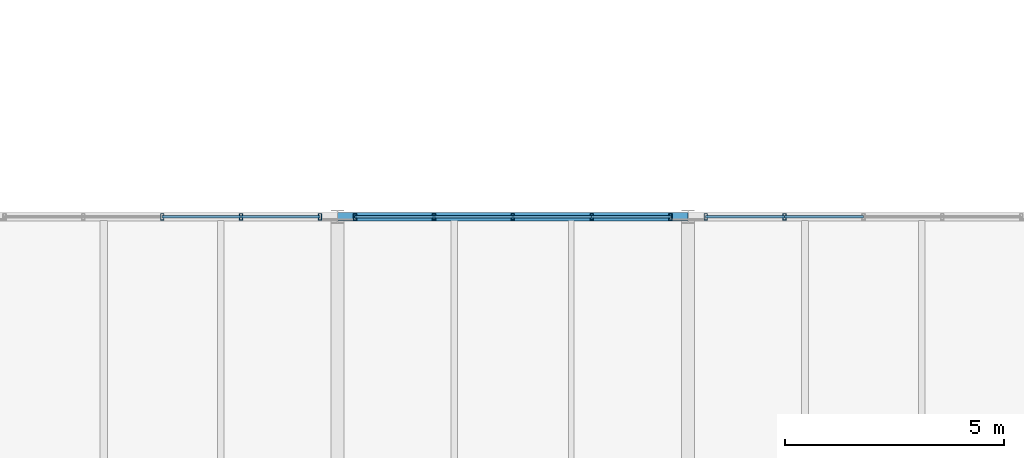
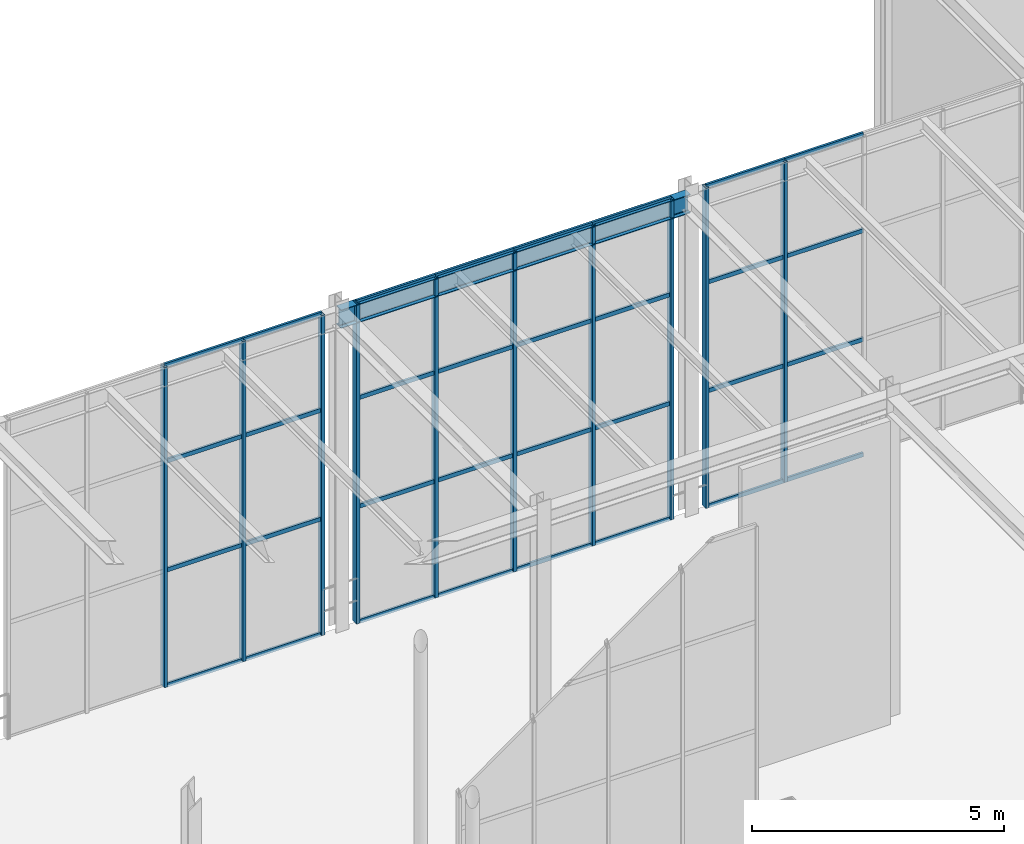
# One storey, part 52 of 138: 42 members, 1 beam, 3 elements without a shape of their own.
"""IFC4 building model written with IfcOpenShell, lengths in metres."""

from ifc_helpers import new_model, si_unit, direction, frame, origin, origin_2d, place, context, subcontext, project, spatial, hollow_rectangle, i_section, extrude, material, material_profile, profile_set, type_object, element, aggregate, save


model = new_model("IFC4")

# Units and contexts
model_context = context("Model", 3, precision=1e-05, world=origin(), true_north=direction((0.0, 1.0)))
body_context = subcontext(model_context, "Body", "Model", "MODEL_VIEW")
ifc_project = project(units=[si_unit("LENGTHUNIT", "METRE"), si_unit("AREAUNIT", "SQUARE_METRE"), si_unit("VOLUMEUNIT", "CUBIC_METRE"), si_unit("PLANEANGLEUNIT", "RADIAN"), si_unit("MASSUNIT", "GRAM", prefix="KILO")], contexts=[model_context])

# Site, building, storey
site_placement = place(None, origin())
site = spatial("IfcSite", under=ifc_project, at=site_placement, CompositionType="ELEMENT")
building_placement = place(site_placement, origin())
building = spatial("IfcBuilding", under=site, at=building_placement, Name="Sundkrona Museum", CompositionType="ELEMENT")
storey_placement = place(building_placement, frame((0.0, 0.0, 9.60009765625)))
storey = spatial("IfcBuildingStorey", under=building, at=storey_placement, Name="L02", CompositionType="ELEMENT", Elevation=9.60009765625)

# Curtain wall, members
ifc_material_1 = material(Name="Unitised Aluminium-Steel and Ceramic-Clad Curtain Walling", Category="steel")
curtain_wall_type = type_object("IfcCurtainWallType", Name="CW-AT-72x74", PredefinedType="NOTDEFINED", material=ifc_material_1)
curtain_wall_1_placement = place(storey_placement, origin())
curtain_wall_1 = element("IfcCurtainWall", 1, at=curtain_wall_1_placement, inside=storey, type_object=curtain_wall_type, Name="L02 Curtain Wall CW-L02-055", PredefinedType="NOTDEFINED")
ifc_material_2 = material(Name="Aluminium EN AW-6060 T66", Category="aluminium")
ifc_material_profile_1 = material_profile(ifc_material_2, hollow_rectangle(XDim=0.074951171875, YDim=0.14990234375, WallThickness=0.00634765625, at=origin_2d()), Name="RHS 150x75x6.3")
ifc_profile_set_1 = profile_set([ifc_material_profile_1], Name="Aluminium EN AW-6060 T66")
member_type_1 = type_object("IfcMemberType", Name="ML-150", PredefinedType="MULLION", material=ifc_profile_set_1)
member_1_placement = place(storey_placement, frame((100.0, 40.0, -0.004150390625), z_axis=(0.0, 0.0, 1.0), x_axis=(1.0, 0.0, 0.0)))
member_1 = element("IfcMember", 2, at=member_1_placement, type_object=member_type_1, Name="CW-L02-055 Mullion 03", PredefinedType="MULLION", context=body_context, shape_type="SweptSolid", body=[
    extrude(hollow_rectangle(XDim=0.074951171875, YDim=0.14990234375, WallThickness=0.00634765625, at=origin_2d()), origin(), (0.0, 0.0, 1.0), 7.748046875),
])
member_2_placement = place(storey_placement, frame((101.800048828125, 40.0, -0.004150390625), z_axis=(0.0, 0.0, 1.0), x_axis=(1.0, 0.0, 0.0)))
member_2 = element("IfcMember", 3, at=member_2_placement, type_object=member_type_1, Name="CW-L02-055 Mullion 04", PredefinedType="MULLION", context=body_context, shape_type="SweptSolid", body=[
    extrude(hollow_rectangle(XDim=0.074951171875, YDim=0.14990234375, WallThickness=0.00634765625, at=origin_2d()), origin(), (0.0, 0.0, 1.0), 7.748046875),
])
member_3_placement = place(storey_placement, frame((103.60009765625, 40.0, -0.004150390625), z_axis=(0.0, 0.0, 1.0), x_axis=(1.0, 0.0, 0.0)))
member_3 = element("IfcMember", 4, at=member_3_placement, type_object=member_type_1, Name="CW-L02-055 Mullion 05", PredefinedType="MULLION", context=body_context, shape_type="SweptSolid", body=[
    extrude(hollow_rectangle(XDim=0.074951171875, YDim=0.14990234375, WallThickness=0.00634765625, at=origin_2d()), origin(), (0.0, 0.0, 1.0), 7.748046875),
])

curtain_wall_2_placement = place(storey_placement, origin())
curtain_wall_2 = element("IfcCurtainWall", 5, at=curtain_wall_2_placement, inside=storey, type_object=curtain_wall_type, Name="L02 Curtain Wall CW-L02-056", PredefinedType="NOTDEFINED")
member_4_placement = place(storey_placement, frame((104.39990234375, 40.0, -0.004150390625), z_axis=(0.0, 0.0, 1.0), x_axis=(1.0, 0.0, 0.0)))
member_4 = element("IfcMember", 6, at=member_4_placement, type_object=member_type_1, Name="CW-L02-056 Mullion 01", PredefinedType="MULLION", context=body_context, shape_type="SweptSolid", body=[
    extrude(hollow_rectangle(XDim=0.074951171875, YDim=0.14990234375, WallThickness=0.00634765625, at=origin_2d()), origin(), (0.0, 0.0, 1.0), 7.748046875),
])
member_5_placement = place(storey_placement, frame((106.199951171875, 40.0, -0.004150390625), z_axis=(0.0, 0.0, 1.0), x_axis=(1.0, 0.0, 0.0)))
member_5 = element("IfcMember", 7, at=member_5_placement, type_object=member_type_1, Name="CW-L02-056 Mullion 02", PredefinedType="MULLION", context=body_context, shape_type="SweptSolid", body=[
    extrude(hollow_rectangle(XDim=0.074951171875, YDim=0.14990234375, WallThickness=0.00634765625, at=origin_2d()), origin(), (0.0, 0.0, 1.0), 7.748046875),
])
member_6_placement = place(storey_placement, frame((108.0, 40.0, -0.004150390625), z_axis=(0.0, 0.0, 1.0), x_axis=(1.0, 0.0, 0.0)))
member_6 = element("IfcMember", 8, at=member_6_placement, type_object=member_type_1, Name="CW-L02-056 Mullion 03", PredefinedType="MULLION", context=body_context, shape_type="SweptSolid", body=[
    extrude(hollow_rectangle(XDim=0.074951171875, YDim=0.14990234375, WallThickness=0.00634765625, at=origin_2d()), origin(), (0.0, 0.0, 1.0), 7.748046875),
])
member_7_placement = place(storey_placement, frame((109.800048828125, 40.0, -0.004150390625), z_axis=(0.0, 0.0, 1.0), x_axis=(1.0, 0.0, 0.0)))
member_7 = element("IfcMember", 9, at=member_7_placement, type_object=member_type_1, Name="CW-L02-056 Mullion 04", PredefinedType="MULLION", context=body_context, shape_type="SweptSolid", body=[
    extrude(hollow_rectangle(XDim=0.074951171875, YDim=0.14990234375, WallThickness=0.00634765625, at=origin_2d()), origin(), (0.0, 0.0, 1.0), 7.748046875),
])
member_8_placement = place(storey_placement, frame((111.60009765625, 40.0, -0.004150390625), z_axis=(0.0, 0.0, 1.0), x_axis=(1.0, 0.0, 0.0)))
member_8 = element("IfcMember", 10, at=member_8_placement, type_object=member_type_1, Name="CW-L02-056 Mullion 05", PredefinedType="MULLION", context=body_context, shape_type="SweptSolid", body=[
    extrude(hollow_rectangle(XDim=0.074951171875, YDim=0.14990234375, WallThickness=0.00634765625, at=origin_2d()), origin(), (0.0, 0.0, 1.0), 7.748046875),
])

curtain_wall_3_placement = place(storey_placement, origin())
curtain_wall_3 = element("IfcCurtainWall", 11, at=curtain_wall_3_placement, inside=storey, type_object=curtain_wall_type, Name="L02 Curtain Wall CW-L02-057", PredefinedType="NOTDEFINED")
member_9_placement = place(storey_placement, frame((112.39990234375, 40.0, -0.004150390625), z_axis=(0.0, 0.0, 1.0), x_axis=(1.0, 0.0, 0.0)))
member_9 = element("IfcMember", 12, at=member_9_placement, type_object=member_type_1, Name="CW-L02-057 Mullion 01", PredefinedType="MULLION", context=body_context, shape_type="SweptSolid", body=[
    extrude(hollow_rectangle(XDim=0.074951171875, YDim=0.14990234375, WallThickness=0.00634765625, at=origin_2d()), origin(), (0.0, 0.0, 1.0), 7.748046875),
])
member_10_placement = place(storey_placement, frame((114.199951171875, 40.0, -0.004150390625), z_axis=(0.0, 0.0, 1.0), x_axis=(1.0, 0.0, 0.0)))
member_10 = element("IfcMember", 13, at=member_10_placement, type_object=member_type_1, Name="CW-L02-057 Mullion 02", PredefinedType="MULLION", context=body_context, shape_type="SweptSolid", body=[
    extrude(hollow_rectangle(XDim=0.074951171875, YDim=0.14990234375, WallThickness=0.00634765625, at=origin_2d()), origin(), (0.0, 0.0, 1.0), 7.748046875),
])

# Beam
ifc_material_3 = material(Name="Steel S355J2", Category="steel")
ifc_material_profile_2 = material_profile(ifc_material_3, i_section(OverallWidth=0.18994140625, OverallDepth=0.449951171875, WebThickness=0.009521484375, FlangeThickness=0.0146484375, FilletRadius=0.02099609375, at=origin_2d()), Name="IPE 450")
ifc_profile_set_2 = profile_set([ifc_material_profile_2], Name="Steel S355J2")
beam_type = type_object("IfcBeamType", Name="SP-IPE450", PredefinedType="SPANDREL", material=ifc_profile_set_2)
beam_placement = place(storey_placement, frame((104.0, 40.0, 7.514892578125), z_axis=(1.0, 0.0, 0.0), x_axis=(0.0, 1.0, 0.0)))
element("IfcBeam", 14, at=beam_placement, inside=storey, type_object=beam_type, Name="L02 Girder X-1167", PredefinedType="SPANDREL", context=body_context, shape_type="SweptSolid", body=[
    extrude(i_section(OverallWidth=0.18994140625, OverallDepth=0.449951171875, WebThickness=0.009521484375, FlangeThickness=0.0146484375, FilletRadius=0.02099609375, at=origin_2d()), origin(), (0.0, 0.0, 1.0), 8.0),
])

# Member
ifc_material_profile_3 = material_profile(ifc_material_2, hollow_rectangle(XDim=0.050048828125, YDim=0.10009765625, WallThickness=0.0048828125, at=origin_2d()), Name="RHS 100x50x5.0")
ifc_profile_set_3 = profile_set([ifc_material_profile_3], Name="Aluminium EN AW-6060 T66")
member_type_2 = type_object("IfcMemberType", Name="TR-100", PredefinedType="USERDEFINED", material=ifc_profile_set_3)
member_11_placement = place(storey_placement, frame((100.0, 40.0, -0.004150390625), z_axis=(1.0, 0.0, 0.0), x_axis=(0.0, 1.0, 0.0)))
member_11 = element("IfcMember", 15, at=member_11_placement, type_object=member_type_2, Name="CW-L02-055 Transom 09", ObjectType="TRANSOM", PredefinedType="USERDEFINED", context=body_context, shape_type="SweptSolid", body=[
    extrude(hollow_rectangle(XDim=0.050048828125, YDim=0.10009765625, WallThickness=0.0048828125, at=origin_2d()), origin(), (0.0, 0.0, 1.0), 1.800048828125),
])

member_12_placement = place(storey_placement, frame((100.0, 40.0, 2.785888671875), z_axis=(1.0, 0.0, 0.0), x_axis=(0.0, 1.0, 0.0)))
member_12 = element("IfcMember", 16, at=member_12_placement, type_object=member_type_2, Name="CW-L02-055 Transom 10", ObjectType="TRANSOM", PredefinedType="USERDEFINED", context=body_context, shape_type="SweptSolid", body=[
    extrude(hollow_rectangle(XDim=0.050048828125, YDim=0.10009765625, WallThickness=0.0048828125, at=origin_2d()), origin(), (0.0, 0.0, 1.0), 1.800048828125),
])

member_13_placement = place(storey_placement, frame((100.0, 40.0, 5.41796875), z_axis=(1.0, 0.0, 0.0), x_axis=(0.0, 1.0, 0.0)))
member_13 = element("IfcMember", 17, at=member_13_placement, type_object=member_type_2, Name="CW-L02-055 Transom 11", ObjectType="TRANSOM", PredefinedType="USERDEFINED", context=body_context, shape_type="SweptSolid", body=[
    extrude(hollow_rectangle(XDim=0.050048828125, YDim=0.10009765625, WallThickness=0.0048828125, at=origin_2d()), origin(), (0.0, 0.0, 1.0), 1.800048828125),
])

member_14_placement = place(storey_placement, frame((100.0, 40.0, 7.743896484375), z_axis=(1.0, 0.0, 0.0), x_axis=(0.0, 1.0, 0.0)))
member_14 = element("IfcMember", 18, at=member_14_placement, type_object=member_type_2, Name="CW-L02-055 Transom 12", ObjectType="TRANSOM", PredefinedType="USERDEFINED", context=body_context, shape_type="SweptSolid", body=[
    extrude(hollow_rectangle(XDim=0.050048828125, YDim=0.10009765625, WallThickness=0.0048828125, at=origin_2d()), origin(), (0.0, 0.0, 1.0), 1.800048828125),
])

member_15_placement = place(storey_placement, frame((101.800048828125, 40.0, -0.004150390625), z_axis=(1.0, 0.0, 0.0), x_axis=(0.0, 1.0, 0.0)))
member_15 = element("IfcMember", 19, at=member_15_placement, type_object=member_type_2, Name="CW-L02-055 Transom 13", ObjectType="TRANSOM", PredefinedType="USERDEFINED", context=body_context, shape_type="SweptSolid", body=[
    extrude(hollow_rectangle(XDim=0.050048828125, YDim=0.10009765625, WallThickness=0.0048828125, at=origin_2d()), origin(), (0.0, 0.0, 1.0), 1.800048828125),
])

member_16_placement = place(storey_placement, frame((101.800048828125, 40.0, 2.785888671875), z_axis=(1.0, 0.0, 0.0), x_axis=(0.0, 1.0, 0.0)))
member_16 = element("IfcMember", 20, at=member_16_placement, type_object=member_type_2, Name="CW-L02-055 Transom 14", ObjectType="TRANSOM", PredefinedType="USERDEFINED", context=body_context, shape_type="SweptSolid", body=[
    extrude(hollow_rectangle(XDim=0.050048828125, YDim=0.10009765625, WallThickness=0.0048828125, at=origin_2d()), origin(), (0.0, 0.0, 1.0), 1.800048828125),
])

member_17_placement = place(storey_placement, frame((101.800048828125, 40.0, 5.41796875), z_axis=(1.0, 0.0, 0.0), x_axis=(0.0, 1.0, 0.0)))
member_17 = element("IfcMember", 21, at=member_17_placement, type_object=member_type_2, Name="CW-L02-055 Transom 15", ObjectType="TRANSOM", PredefinedType="USERDEFINED", context=body_context, shape_type="SweptSolid", body=[
    extrude(hollow_rectangle(XDim=0.050048828125, YDim=0.10009765625, WallThickness=0.0048828125, at=origin_2d()), origin(), (0.0, 0.0, 1.0), 1.800048828125),
])

member_18_placement = place(storey_placement, frame((101.800048828125, 40.0, 7.743896484375), z_axis=(1.0, 0.0, 0.0), x_axis=(0.0, 1.0, 0.0)))
member_18 = element("IfcMember", 22, at=member_18_placement, type_object=member_type_2, Name="CW-L02-055 Transom 16", ObjectType="TRANSOM", PredefinedType="USERDEFINED", context=body_context, shape_type="SweptSolid", body=[
    extrude(hollow_rectangle(XDim=0.050048828125, YDim=0.10009765625, WallThickness=0.0048828125, at=origin_2d()), origin(), (0.0, 0.0, 1.0), 1.800048828125),
])

aggregate(curtain_wall_1, [member_1, member_2, member_3, member_11, member_12, member_13, member_14, member_15, member_16, member_17, member_18])

member_19_placement = place(storey_placement, frame((104.39990234375, 40.0, -0.004150390625), z_axis=(1.0, 0.0, 0.0), x_axis=(0.0, 1.0, 0.0)))
member_19 = element("IfcMember", 23, at=member_19_placement, type_object=member_type_2, Name="CW-L02-056 Transom 01", ObjectType="TRANSOM", PredefinedType="USERDEFINED", context=body_context, shape_type="SweptSolid", body=[
    extrude(hollow_rectangle(XDim=0.050048828125, YDim=0.10009765625, WallThickness=0.0048828125, at=origin_2d()), origin(), (0.0, 0.0, 1.0), 1.800048828125),
])

member_20_placement = place(storey_placement, frame((104.39990234375, 40.0, 2.785888671875), z_axis=(1.0, 0.0, 0.0), x_axis=(0.0, 1.0, 0.0)))
member_20 = element("IfcMember", 24, at=member_20_placement, type_object=member_type_2, Name="CW-L02-056 Transom 02", ObjectType="TRANSOM", PredefinedType="USERDEFINED", context=body_context, shape_type="SweptSolid", body=[
    extrude(hollow_rectangle(XDim=0.050048828125, YDim=0.10009765625, WallThickness=0.0048828125, at=origin_2d()), origin(), (0.0, 0.0, 1.0), 1.800048828125),
])

member_21_placement = place(storey_placement, frame((104.39990234375, 40.0, 5.41796875), z_axis=(1.0, 0.0, 0.0), x_axis=(0.0, 1.0, 0.0)))
member_21 = element("IfcMember", 25, at=member_21_placement, type_object=member_type_2, Name="CW-L02-056 Transom 03", ObjectType="TRANSOM", PredefinedType="USERDEFINED", context=body_context, shape_type="SweptSolid", body=[
    extrude(hollow_rectangle(XDim=0.050048828125, YDim=0.10009765625, WallThickness=0.0048828125, at=origin_2d()), origin(), (0.0, 0.0, 1.0), 1.800048828125),
])

member_22_placement = place(storey_placement, frame((104.39990234375, 40.0, 7.743896484375), z_axis=(1.0, 0.0, 0.0), x_axis=(0.0, 1.0, 0.0)))
member_22 = element("IfcMember", 26, at=member_22_placement, type_object=member_type_2, Name="CW-L02-056 Transom 04", ObjectType="TRANSOM", PredefinedType="USERDEFINED", context=body_context, shape_type="SweptSolid", body=[
    extrude(hollow_rectangle(XDim=0.050048828125, YDim=0.10009765625, WallThickness=0.0048828125, at=origin_2d()), origin(), (0.0, 0.0, 1.0), 1.800048828125),
])

member_23_placement = place(storey_placement, frame((106.199951171875, 40.0, -0.004150390625), z_axis=(1.0, 0.0, 0.0), x_axis=(0.0, 1.0, 0.0)))
member_23 = element("IfcMember", 27, at=member_23_placement, type_object=member_type_2, Name="CW-L02-056 Transom 05", ObjectType="TRANSOM", PredefinedType="USERDEFINED", context=body_context, shape_type="SweptSolid", body=[
    extrude(hollow_rectangle(XDim=0.050048828125, YDim=0.10009765625, WallThickness=0.0048828125, at=origin_2d()), origin(), (0.0, 0.0, 1.0), 1.800048828125),
])

member_24_placement = place(storey_placement, frame((106.199951171875, 40.0, 2.785888671875), z_axis=(1.0, 0.0, 0.0), x_axis=(0.0, 1.0, 0.0)))
member_24 = element("IfcMember", 28, at=member_24_placement, type_object=member_type_2, Name="CW-L02-056 Transom 06", ObjectType="TRANSOM", PredefinedType="USERDEFINED", context=body_context, shape_type="SweptSolid", body=[
    extrude(hollow_rectangle(XDim=0.050048828125, YDim=0.10009765625, WallThickness=0.0048828125, at=origin_2d()), origin(), (0.0, 0.0, 1.0), 1.800048828125),
])

member_25_placement = place(storey_placement, frame((106.199951171875, 40.0, 5.41796875), z_axis=(1.0, 0.0, 0.0), x_axis=(0.0, 1.0, 0.0)))
member_25 = element("IfcMember", 29, at=member_25_placement, type_object=member_type_2, Name="CW-L02-056 Transom 07", ObjectType="TRANSOM", PredefinedType="USERDEFINED", context=body_context, shape_type="SweptSolid", body=[
    extrude(hollow_rectangle(XDim=0.050048828125, YDim=0.10009765625, WallThickness=0.0048828125, at=origin_2d()), origin(), (0.0, 0.0, 1.0), 1.800048828125),
])

member_26_placement = place(storey_placement, frame((106.199951171875, 40.0, 7.743896484375), z_axis=(1.0, 0.0, 0.0), x_axis=(0.0, 1.0, 0.0)))
member_26 = element("IfcMember", 30, at=member_26_placement, type_object=member_type_2, Name="CW-L02-056 Transom 08", ObjectType="TRANSOM", PredefinedType="USERDEFINED", context=body_context, shape_type="SweptSolid", body=[
    extrude(hollow_rectangle(XDim=0.050048828125, YDim=0.10009765625, WallThickness=0.0048828125, at=origin_2d()), origin(), (0.0, 0.0, 1.0), 1.800048828125),
])

member_27_placement = place(storey_placement, frame((108.0, 40.0, -0.004150390625), z_axis=(1.0, 0.0, 0.0), x_axis=(0.0, 1.0, 0.0)))
member_27 = element("IfcMember", 31, at=member_27_placement, type_object=member_type_2, Name="CW-L02-056 Transom 09", ObjectType="TRANSOM", PredefinedType="USERDEFINED", context=body_context, shape_type="SweptSolid", body=[
    extrude(hollow_rectangle(XDim=0.050048828125, YDim=0.10009765625, WallThickness=0.0048828125, at=origin_2d()), origin(), (0.0, 0.0, 1.0), 1.800048828125),
])

member_28_placement = place(storey_placement, frame((108.0, 40.0, 2.785888671875), z_axis=(1.0, 0.0, 0.0), x_axis=(0.0, 1.0, 0.0)))
member_28 = element("IfcMember", 32, at=member_28_placement, type_object=member_type_2, Name="CW-L02-056 Transom 10", ObjectType="TRANSOM", PredefinedType="USERDEFINED", context=body_context, shape_type="SweptSolid", body=[
    extrude(hollow_rectangle(XDim=0.050048828125, YDim=0.10009765625, WallThickness=0.0048828125, at=origin_2d()), origin(), (0.0, 0.0, 1.0), 1.800048828125),
])

member_29_placement = place(storey_placement, frame((108.0, 40.0, 5.41796875), z_axis=(1.0, 0.0, 0.0), x_axis=(0.0, 1.0, 0.0)))
member_29 = element("IfcMember", 33, at=member_29_placement, type_object=member_type_2, Name="CW-L02-056 Transom 11", ObjectType="TRANSOM", PredefinedType="USERDEFINED", context=body_context, shape_type="SweptSolid", body=[
    extrude(hollow_rectangle(XDim=0.050048828125, YDim=0.10009765625, WallThickness=0.0048828125, at=origin_2d()), origin(), (0.0, 0.0, 1.0), 1.800048828125),
])

member_30_placement = place(storey_placement, frame((108.0, 40.0, 7.743896484375), z_axis=(1.0, 0.0, 0.0), x_axis=(0.0, 1.0, 0.0)))
member_30 = element("IfcMember", 34, at=member_30_placement, type_object=member_type_2, Name="CW-L02-056 Transom 12", ObjectType="TRANSOM", PredefinedType="USERDEFINED", context=body_context, shape_type="SweptSolid", body=[
    extrude(hollow_rectangle(XDim=0.050048828125, YDim=0.10009765625, WallThickness=0.0048828125, at=origin_2d()), origin(), (0.0, 0.0, 1.0), 1.800048828125),
])

member_31_placement = place(storey_placement, frame((109.800048828125, 40.0, -0.004150390625), z_axis=(1.0, 0.0, 0.0), x_axis=(0.0, 1.0, 0.0)))
member_31 = element("IfcMember", 35, at=member_31_placement, type_object=member_type_2, Name="CW-L02-056 Transom 13", ObjectType="TRANSOM", PredefinedType="USERDEFINED", context=body_context, shape_type="SweptSolid", body=[
    extrude(hollow_rectangle(XDim=0.050048828125, YDim=0.10009765625, WallThickness=0.0048828125, at=origin_2d()), origin(), (0.0, 0.0, 1.0), 1.800048828125),
])

member_32_placement = place(storey_placement, frame((109.800048828125, 40.0, 2.785888671875), z_axis=(1.0, 0.0, 0.0), x_axis=(0.0, 1.0, 0.0)))
member_32 = element("IfcMember", 36, at=member_32_placement, type_object=member_type_2, Name="CW-L02-056 Transom 14", ObjectType="TRANSOM", PredefinedType="USERDEFINED", context=body_context, shape_type="SweptSolid", body=[
    extrude(hollow_rectangle(XDim=0.050048828125, YDim=0.10009765625, WallThickness=0.0048828125, at=origin_2d()), origin(), (0.0, 0.0, 1.0), 1.800048828125),
])

member_33_placement = place(storey_placement, frame((109.800048828125, 40.0, 5.41796875), z_axis=(1.0, 0.0, 0.0), x_axis=(0.0, 1.0, 0.0)))
member_33 = element("IfcMember", 37, at=member_33_placement, type_object=member_type_2, Name="CW-L02-056 Transom 15", ObjectType="TRANSOM", PredefinedType="USERDEFINED", context=body_context, shape_type="SweptSolid", body=[
    extrude(hollow_rectangle(XDim=0.050048828125, YDim=0.10009765625, WallThickness=0.0048828125, at=origin_2d()), origin(), (0.0, 0.0, 1.0), 1.800048828125),
])

member_34_placement = place(storey_placement, frame((109.800048828125, 40.0, 7.743896484375), z_axis=(1.0, 0.0, 0.0), x_axis=(0.0, 1.0, 0.0)))
member_34 = element("IfcMember", 38, at=member_34_placement, type_object=member_type_2, Name="CW-L02-056 Transom 16", ObjectType="TRANSOM", PredefinedType="USERDEFINED", context=body_context, shape_type="SweptSolid", body=[
    extrude(hollow_rectangle(XDim=0.050048828125, YDim=0.10009765625, WallThickness=0.0048828125, at=origin_2d()), origin(), (0.0, 0.0, 1.0), 1.800048828125),
])

aggregate(curtain_wall_2, [member_4, member_5, member_6, member_7, member_8, member_19, member_20, member_21, member_22, member_23, member_24, member_25, member_26, member_27, member_28, member_29, member_30, member_31, member_32, member_33, member_34])

member_35_placement = place(storey_placement, frame((112.39990234375, 40.0, -0.004150390625), z_axis=(1.0, 0.0, 0.0), x_axis=(0.0, 1.0, 0.0)))
member_35 = element("IfcMember", 39, at=member_35_placement, type_object=member_type_2, Name="CW-L02-057 Transom 01", ObjectType="TRANSOM", PredefinedType="USERDEFINED", context=body_context, shape_type="SweptSolid", body=[
    extrude(hollow_rectangle(XDim=0.050048828125, YDim=0.10009765625, WallThickness=0.0048828125, at=origin_2d()), origin(), (0.0, 0.0, 1.0), 1.800048828125),
])

member_36_placement = place(storey_placement, frame((112.39990234375, 40.0, 2.785888671875), z_axis=(1.0, 0.0, 0.0), x_axis=(0.0, 1.0, 0.0)))
member_36 = element("IfcMember", 40, at=member_36_placement, type_object=member_type_2, Name="CW-L02-057 Transom 02", ObjectType="TRANSOM", PredefinedType="USERDEFINED", context=body_context, shape_type="SweptSolid", body=[
    extrude(hollow_rectangle(XDim=0.050048828125, YDim=0.10009765625, WallThickness=0.0048828125, at=origin_2d()), origin(), (0.0, 0.0, 1.0), 1.800048828125),
])

member_37_placement = place(storey_placement, frame((112.39990234375, 40.0, 5.41796875), z_axis=(1.0, 0.0, 0.0), x_axis=(0.0, 1.0, 0.0)))
member_37 = element("IfcMember", 41, at=member_37_placement, type_object=member_type_2, Name="CW-L02-057 Transom 03", ObjectType="TRANSOM", PredefinedType="USERDEFINED", context=body_context, shape_type="SweptSolid", body=[
    extrude(hollow_rectangle(XDim=0.050048828125, YDim=0.10009765625, WallThickness=0.0048828125, at=origin_2d()), origin(), (0.0, 0.0, 1.0), 1.800048828125),
])

member_38_placement = place(storey_placement, frame((112.39990234375, 40.0, 7.743896484375), z_axis=(1.0, 0.0, 0.0), x_axis=(0.0, 1.0, 0.0)))
member_38 = element("IfcMember", 42, at=member_38_placement, type_object=member_type_2, Name="CW-L02-057 Transom 04", ObjectType="TRANSOM", PredefinedType="USERDEFINED", context=body_context, shape_type="SweptSolid", body=[
    extrude(hollow_rectangle(XDim=0.050048828125, YDim=0.10009765625, WallThickness=0.0048828125, at=origin_2d()), origin(), (0.0, 0.0, 1.0), 1.800048828125),
])

member_39_placement = place(storey_placement, frame((114.199951171875, 40.0, -0.004150390625), z_axis=(1.0, 0.0, 0.0), x_axis=(0.0, 1.0, 0.0)))
member_39 = element("IfcMember", 43, at=member_39_placement, type_object=member_type_2, Name="CW-L02-057 Transom 05", ObjectType="TRANSOM", PredefinedType="USERDEFINED", context=body_context, shape_type="SweptSolid", body=[
    extrude(hollow_rectangle(XDim=0.050048828125, YDim=0.10009765625, WallThickness=0.0048828125, at=origin_2d()), origin(), (0.0, 0.0, 1.0), 1.800048828125),
])

member_40_placement = place(storey_placement, frame((114.199951171875, 40.0, 2.785888671875), z_axis=(1.0, 0.0, 0.0), x_axis=(0.0, 1.0, 0.0)))
member_40 = element("IfcMember", 44, at=member_40_placement, type_object=member_type_2, Name="CW-L02-057 Transom 06", ObjectType="TRANSOM", PredefinedType="USERDEFINED", context=body_context, shape_type="SweptSolid", body=[
    extrude(hollow_rectangle(XDim=0.050048828125, YDim=0.10009765625, WallThickness=0.0048828125, at=origin_2d()), origin(), (0.0, 0.0, 1.0), 1.800048828125),
])

member_41_placement = place(storey_placement, frame((114.199951171875, 40.0, 5.41796875), z_axis=(1.0, 0.0, 0.0), x_axis=(0.0, 1.0, 0.0)))
member_41 = element("IfcMember", 45, at=member_41_placement, type_object=member_type_2, Name="CW-L02-057 Transom 07", ObjectType="TRANSOM", PredefinedType="USERDEFINED", context=body_context, shape_type="SweptSolid", body=[
    extrude(hollow_rectangle(XDim=0.050048828125, YDim=0.10009765625, WallThickness=0.0048828125, at=origin_2d()), origin(), (0.0, 0.0, 1.0), 1.800048828125),
])

member_42_placement = place(storey_placement, frame((114.199951171875, 40.0, 7.743896484375), z_axis=(1.0, 0.0, 0.0), x_axis=(0.0, 1.0, 0.0)))
member_42 = element("IfcMember", 46, at=member_42_placement, type_object=member_type_2, Name="CW-L02-057 Transom 08", ObjectType="TRANSOM", PredefinedType="USERDEFINED", context=body_context, shape_type="SweptSolid", body=[
    extrude(hollow_rectangle(XDim=0.050048828125, YDim=0.10009765625, WallThickness=0.0048828125, at=origin_2d()), origin(), (0.0, 0.0, 1.0), 1.800048828125),
])

aggregate(curtain_wall_3, [member_9, member_10, member_35, member_36, member_37, member_38, member_39, member_40, member_41, member_42])

save(model, "model.ifc")
